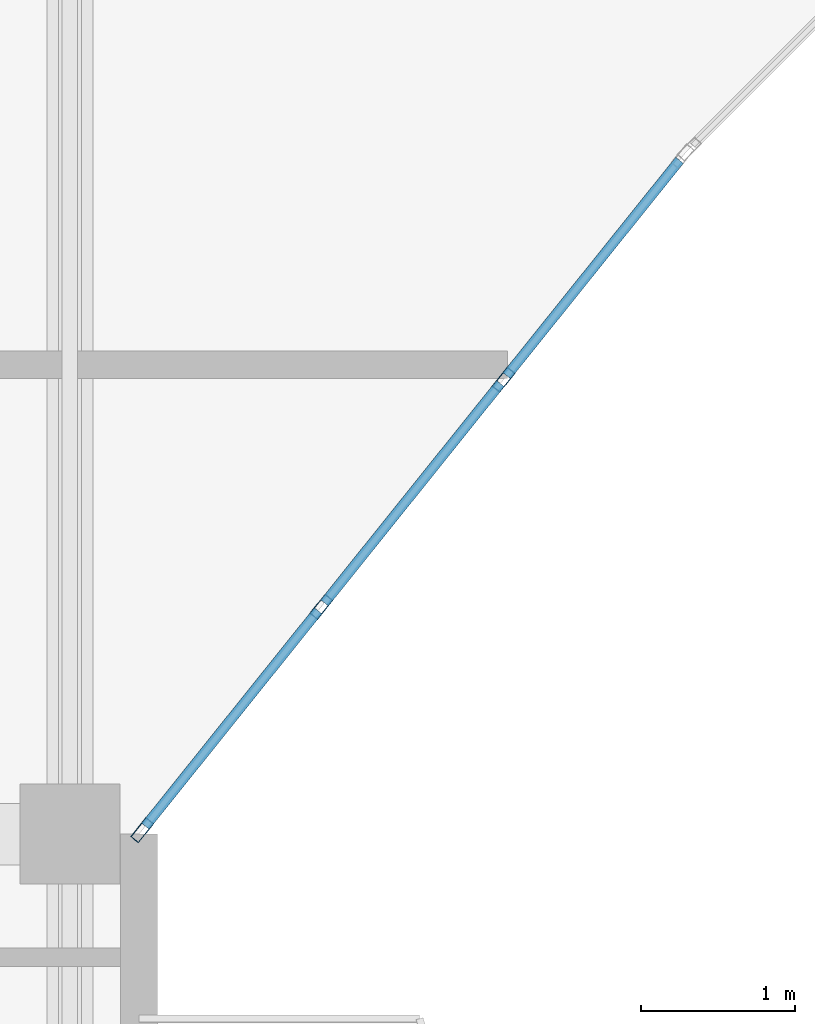
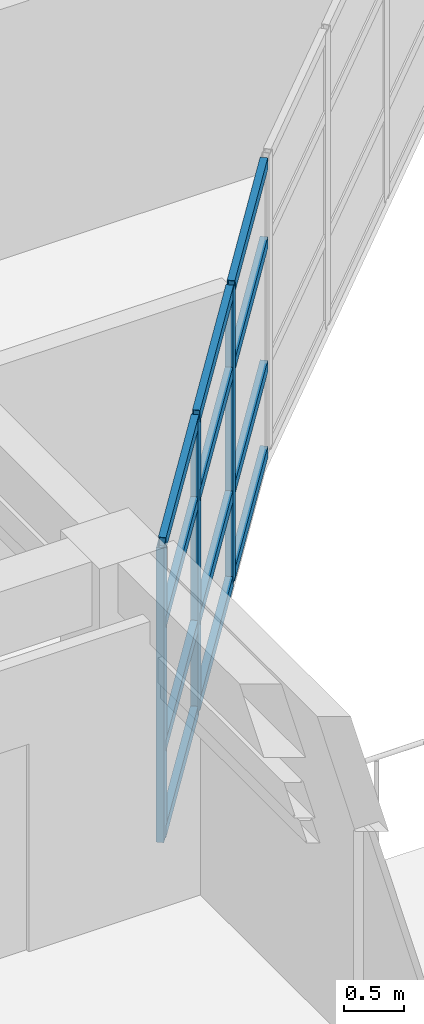
# One storey, part 11 of 89: 15 members, 1 element without a shape of its own.
"""IFC4 building model written with IfcOpenShell, lengths in metres."""

from ifc_helpers import new_model, si_unit, direction, frame, origin, origin_2d, place, context, subcontext, project, spatial, hollow_rectangle, extrude, material, layer, layer_set, material_profile, profile_set, type_object, element, aggregate, save


model = new_model("IFC4")

# Units and contexts
model_context = context("Model", 3, precision=1e-05, world=origin(), true_north=direction((0.0, 1.0)))
body_context = subcontext(model_context, "Body", "Model", "MODEL_VIEW")
ifc_project = project(units=[si_unit("LENGTHUNIT", "METRE"), si_unit("AREAUNIT", "SQUARE_METRE"), si_unit("VOLUMEUNIT", "CUBIC_METRE"), si_unit("PLANEANGLEUNIT", "RADIAN"), si_unit("MASSUNIT", "GRAM", prefix="KILO")], contexts=[model_context])

# Site, building, storey
site_placement = place(None, origin())
site = spatial("IfcSite", under=ifc_project, at=site_placement, CompositionType="ELEMENT")
building_placement = place(site_placement, origin())
building = spatial("IfcBuilding", under=site, at=building_placement, Name="Keldmere Railside Commons", CompositionType="ELEMENT")
storey_placement = place(building_placement, frame((0.0, 0.0, 7.360107421875)))
storey = spatial("IfcBuildingStorey", under=building, at=storey_placement, Name="L02", CompositionType="ELEMENT", Elevation=7.360107421875)

# Curtain wall, members
ifc_material = material(Name="Thermally Broken Aluminium", Category="aluminium")
ifc_layer = layer(ifc_material, 0.159912109375, Name="Court Chord Wintergarden CW 4800x2850")
ifc_layer_set = layer_set([ifc_layer], Name="Thermally Broken Aluminium")
curtain_wall_type = type_object("IfcCurtainWallType", Name="Court Chord Wintergarden CW 4800x2850", PredefinedType="NOTDEFINED", material=ifc_layer_set)
curtain_wall_placement = place(storey_placement, origin())
curtain_wall = element("IfcCurtainWall", 1, at=curtain_wall_placement, inside=storey, type_object=curtain_wall_type, Name="CW-12 CW-L02-037", PredefinedType="NOTDEFINED")
ifc_material_profile_1 = material_profile(ifc_material, hollow_rectangle(XDim=0.06494140625, YDim=0.159912109375, WallThickness=0.00390625, at=origin_2d()), Name="ALU-MULL-65x160")
ifc_profile_set_1 = profile_set([ifc_material_profile_1], Name="Thermally Broken Aluminium")
member_type_1 = type_object("IfcMemberType", Name="Unitised Curtain Wall Mullion 65x160", PredefinedType="MULLION", material=ifc_profile_set_1)
member_1_placement = place(storey_placement, frame((66.369384765625, 90.953369140625, 0.0), z_axis=(0.0, 0.0, 1.0), x_axis=(0.780009172323, -0.625768080915, 0.0)))
member_1 = element("IfcMember", 2, at=member_1_placement, type_object=member_type_1, Name="CW-12 mullion 2", PredefinedType="MULLION", context=body_context, shape_type="SweptSolid", body=[
    extrude(hollow_rectangle(XDim=0.06494140625, YDim=0.159912109375, WallThickness=0.00390625, at=origin_2d()), origin(), (0.0, 0.0, 1.0), 2.97998046875),
])
member_2_placement = place(storey_placement, frame((65.1845703125, 89.4765625, 0.0), z_axis=(0.0, 0.0, 1.0), x_axis=(0.780009172323, -0.625768080915, 0.0)))
member_2 = element("IfcMember", 3, at=member_2_placement, type_object=member_type_1, Name="CW-12 mullion 3", PredefinedType="MULLION", context=body_context, shape_type="SweptSolid", body=[
    extrude(hollow_rectangle(XDim=0.06494140625, YDim=0.159912109375, WallThickness=0.00390625, at=origin_2d()), origin(), (0.0, 0.0, 1.0), 2.97998046875),
])
member_3_placement = place(storey_placement, frame((64.020263671875, 88.025390625, 0.0), z_axis=(0.0, 0.0, 1.0), x_axis=(0.780009172323, -0.625768080915, 0.0)))
member_3 = element("IfcMember", 4, at=member_3_placement, type_object=member_type_1, Name="CW-12 mullion 4", PredefinedType="MULLION", context=body_context, shape_type="SweptSolid", body=[
    extrude(hollow_rectangle(XDim=0.06494140625, YDim=0.159912109375, WallThickness=0.00390625, at=origin_2d()), origin(), (0.0, 0.0, 1.0), 2.97998046875),
])
ifc_material_profile_2 = material_profile(ifc_material, hollow_rectangle(XDim=0.06494140625, YDim=0.1201171875, WallThickness=0.00390625, at=origin_2d()), Name="ALU-TRAN-65x120")
ifc_profile_set_2 = profile_set([ifc_material_profile_2], Name="Thermally Broken Aluminium")
member_type_2 = type_object("IfcMemberType", Name="Unitised Curtain Wall Transom 65x120", PredefinedType="USERDEFINED", material=ifc_profile_set_2)
member_4_placement = place(storey_placement, frame((67.513427734375, 92.37939453125, 0.032470703125), z_axis=(-0.625805275091, -0.779979331565, 0.0), x_axis=(0.779979331565, -0.625805275091, 0.0)))
member_4 = element("IfcMember", 5, at=member_4_placement, type_object=member_type_2, Name="CW-12 transom 1.1", ObjectType="TRANSOM", PredefinedType="USERDEFINED", context=body_context, shape_type="SweptSolid", body=[
    extrude(hollow_rectangle(XDim=0.06494140625, YDim=0.1201171875, WallThickness=0.00390625, at=origin_2d()), origin(), (0.0, 0.0, 1.0), 1.795654296875),
])
member_5_placement = place(storey_placement, frame((67.513427734375, 92.37939453125, 0.89990234375), z_axis=(-0.625805275091, -0.779979331565, 0.0), x_axis=(0.779979331565, -0.625805275091, 0.0)))
member_5 = element("IfcMember", 6, at=member_5_placement, type_object=member_type_2, Name="CW-12 transom 1.2", ObjectType="TRANSOM", PredefinedType="USERDEFINED", context=body_context, shape_type="SweptSolid", body=[
    extrude(hollow_rectangle(XDim=0.06494140625, YDim=0.1201171875, WallThickness=0.00390625, at=origin_2d()), origin(), (0.0, 0.0, 1.0), 1.795654296875),
])
member_6_placement = place(storey_placement, frame((67.513427734375, 92.37939453125, 2.14990234375), z_axis=(-0.625805275091, -0.779979331565, 0.0), x_axis=(0.779979331565, -0.625805275091, 0.0)))
member_6 = element("IfcMember", 7, at=member_6_placement, type_object=member_type_2, Name="CW-12 transom 1.3", ObjectType="TRANSOM", PredefinedType="USERDEFINED", context=body_context, shape_type="SweptSolid", body=[
    extrude(hollow_rectangle(XDim=0.06494140625, YDim=0.1201171875, WallThickness=0.00390625, at=origin_2d()), origin(), (0.0, 0.0, 1.0), 1.795654296875),
])
member_7_placement = place(storey_placement, frame((67.513427734375, 92.37939453125, 2.947509765625), z_axis=(-0.625805275091, -0.779979331565, 0.0), x_axis=(0.779979331565, -0.625805275091, 0.0)))
member_7 = element("IfcMember", 8, at=member_7_placement, type_object=member_type_2, Name="CW-12 transom 1.4", ObjectType="TRANSOM", PredefinedType="USERDEFINED", context=body_context, shape_type="SweptSolid", body=[
    extrude(hollow_rectangle(XDim=0.06494140625, YDim=0.1201171875, WallThickness=0.00390625, at=origin_2d()), origin(), (0.0, 0.0, 1.0), 1.795654296875),
])
member_8_placement = place(storey_placement, frame((66.348876953125, 90.927978515625, 0.032470703125), z_axis=(-0.625688033635, -0.78007338409, 0.0), x_axis=(0.78007338409, -0.625688033635, 0.0)))
member_8 = element("IfcMember", 9, at=member_8_placement, type_object=member_type_2, Name="CW-12 transom 2.1", ObjectType="TRANSOM", PredefinedType="USERDEFINED", context=body_context, shape_type="SweptSolid", body=[
    extrude(hollow_rectangle(XDim=0.06494140625, YDim=0.1201171875, WallThickness=0.00390625, at=origin_2d()), origin(), (0.0, 0.0, 1.0), 1.828125),
])
member_9_placement = place(storey_placement, frame((66.348876953125, 90.927978515625, 0.89990234375), z_axis=(-0.625688033635, -0.78007338409, 0.0), x_axis=(0.78007338409, -0.625688033635, 0.0)))
member_9 = element("IfcMember", 10, at=member_9_placement, type_object=member_type_2, Name="CW-12 transom 2.2", ObjectType="TRANSOM", PredefinedType="USERDEFINED", context=body_context, shape_type="SweptSolid", body=[
    extrude(hollow_rectangle(XDim=0.06494140625, YDim=0.1201171875, WallThickness=0.00390625, at=origin_2d()), origin(), (0.0, 0.0, 1.0), 1.828125),
])
member_10_placement = place(storey_placement, frame((66.348876953125, 90.927978515625, 2.14990234375), z_axis=(-0.625688033635, -0.78007338409, 0.0), x_axis=(0.78007338409, -0.625688033635, 0.0)))
member_10 = element("IfcMember", 11, at=member_10_placement, type_object=member_type_2, Name="CW-12 transom 2.3", ObjectType="TRANSOM", PredefinedType="USERDEFINED", context=body_context, shape_type="SweptSolid", body=[
    extrude(hollow_rectangle(XDim=0.06494140625, YDim=0.1201171875, WallThickness=0.00390625, at=origin_2d()), origin(), (0.0, 0.0, 1.0), 1.828125),
])
member_11_placement = place(storey_placement, frame((66.348876953125, 90.927978515625, 2.947509765625), z_axis=(-0.625688033635, -0.78007338409, 0.0), x_axis=(0.78007338409, -0.625688033635, 0.0)))
member_11 = element("IfcMember", 12, at=member_11_placement, type_object=member_type_2, Name="CW-12 transom 2.4", ObjectType="TRANSOM", PredefinedType="USERDEFINED", context=body_context, shape_type="SweptSolid", body=[
    extrude(hollow_rectangle(XDim=0.06494140625, YDim=0.1201171875, WallThickness=0.00390625, at=origin_2d()), origin(), (0.0, 0.0, 1.0), 1.828125),
])
member_12_placement = place(storey_placement, frame((65.164306640625, 89.451416015625, 0.032470703125), z_axis=(-0.625722553313, -0.780045694992, 0.0), x_axis=(0.780045694992, -0.625722553313, 0.0)))
member_12 = element("IfcMember", 13, at=member_12_placement, type_object=member_type_2, Name="CW-12 transom 3.1", ObjectType="TRANSOM", PredefinedType="USERDEFINED", context=body_context, shape_type="SweptSolid", body=[
    extrude(hollow_rectangle(XDim=0.06494140625, YDim=0.1201171875, WallThickness=0.00390625, at=origin_2d()), origin(), (0.0, 0.0, 1.0), 1.795654296875),
])
member_13_placement = place(storey_placement, frame((65.164306640625, 89.451416015625, 0.89990234375), z_axis=(-0.625722553313, -0.780045694992, 0.0), x_axis=(0.780045694992, -0.625722553313, 0.0)))
member_13 = element("IfcMember", 14, at=member_13_placement, type_object=member_type_2, Name="CW-12 transom 3.2", ObjectType="TRANSOM", PredefinedType="USERDEFINED", context=body_context, shape_type="SweptSolid", body=[
    extrude(hollow_rectangle(XDim=0.06494140625, YDim=0.1201171875, WallThickness=0.00390625, at=origin_2d()), origin(), (0.0, 0.0, 1.0), 1.795654296875),
])
member_14_placement = place(storey_placement, frame((65.164306640625, 89.451416015625, 2.14990234375), z_axis=(-0.625722553313, -0.780045694992, 0.0), x_axis=(0.780045694992, -0.625722553313, 0.0)))
member_14 = element("IfcMember", 15, at=member_14_placement, type_object=member_type_2, Name="CW-12 transom 3.3", ObjectType="TRANSOM", PredefinedType="USERDEFINED", context=body_context, shape_type="SweptSolid", body=[
    extrude(hollow_rectangle(XDim=0.06494140625, YDim=0.1201171875, WallThickness=0.00390625, at=origin_2d()), origin(), (0.0, 0.0, 1.0), 1.795654296875),
])
member_15_placement = place(storey_placement, frame((65.164306640625, 89.451416015625, 2.947509765625), z_axis=(-0.625722553313, -0.780045694992, 0.0), x_axis=(0.780045694992, -0.625722553313, 0.0)))
member_15 = element("IfcMember", 16, at=member_15_placement, type_object=member_type_2, Name="CW-12 transom 3.4", ObjectType="TRANSOM", PredefinedType="USERDEFINED", context=body_context, shape_type="SweptSolid", body=[
    extrude(hollow_rectangle(XDim=0.06494140625, YDim=0.1201171875, WallThickness=0.00390625, at=origin_2d()), origin(), (0.0, 0.0, 1.0), 1.795654296875),
])
aggregate(curtain_wall, [member_1, member_2, member_3, member_4, member_5, member_6, member_7, member_8, member_9, member_10, member_11, member_12, member_13, member_14, member_15])

save(model, "model.ifc")
